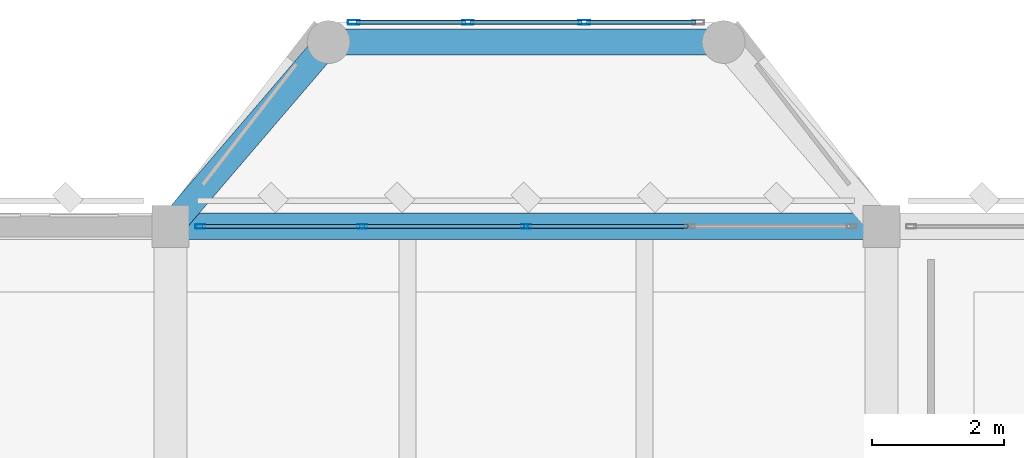
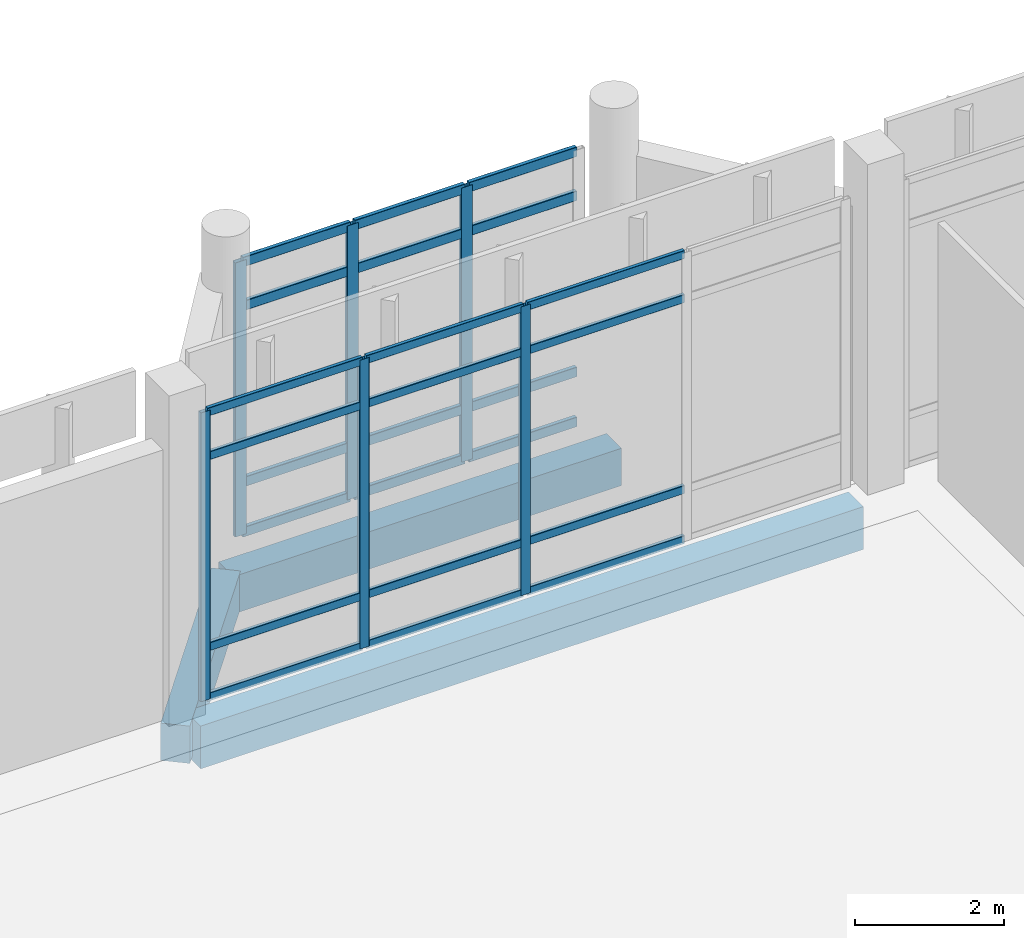
# One storey, part 70 of 180: 30 members, 3 beams, 2 elements without a shape of their own.
"""IFC4 building model written with IfcOpenShell, lengths in metres."""

from ifc_helpers import new_model, si_unit, direction, frame, origin, origin_2d, place, context, subcontext, project, spatial, rectangle, hollow_rectangle, extrude, material, material_profile, profile_set, type_object, element, aggregate, save


model = new_model("IFC4")

# Units and contexts
model_context = context("Model", 3, precision=1e-05, world=origin(), true_north=direction((0.0, 1.0)))
body_context = subcontext(model_context, "Body", "Model", "MODEL_VIEW")
ifc_project = project(units=[si_unit("LENGTHUNIT", "METRE"), si_unit("AREAUNIT", "SQUARE_METRE"), si_unit("VOLUMEUNIT", "CUBIC_METRE"), si_unit("PLANEANGLEUNIT", "RADIAN"), si_unit("MASSUNIT", "GRAM", prefix="KILO")], contexts=[model_context])

# Site, building, storey
site_placement = place(None, origin())
site = spatial("IfcSite", under=ifc_project, at=site_placement, CompositionType="ELEMENT")
building_placement = place(site_placement, origin())
building = spatial("IfcBuilding", under=site, at=building_placement, Name="Lusvemor Sports Hall", CompositionType="ELEMENT")
storey_placement = place(building_placement, frame((0.0, 0.0, 5.39990234375)))
storey = spatial("IfcBuildingStorey", under=building, at=storey_placement, Name="L01", CompositionType="ELEMENT", Elevation=5.39990234375)

# Curtain wall, members
ifc_material_1 = material(Name="Thermally broken bronze-anodized aluminium", Category="aluminium")
curtain_wall_type_1 = type_object("IfcCurtainWallType", Name="CW_FOYER_A", PredefinedType="NOTDEFINED", material=ifc_material_1)
curtain_wall_1_placement = place(storey_placement, origin())
curtain_wall_1 = element("IfcCurtainWall", 1, at=curtain_wall_1_placement, inside=storey, type_object=curtain_wall_type_1, Name="Curtain Wall CW-BOW-N1-L01-M", PredefinedType="NOTDEFINED")
ifc_material_2 = material(Name="Thermally broken bronze-anodized aluminium", Category="aluminium")
ifc_material_profile_1 = material_profile(ifc_material_2, hollow_rectangle(XDim=0.070068359375, YDim=0.179931640625, WallThickness=0.0048828125, InnerFilletRadius=0.0048828125, OuterFilletRadius=0.010009765625, at=origin_2d()), Name="CWMUL180x70x5")
ifc_profile_set_1 = profile_set([ifc_material_profile_1], Name="Thermally broken bronze-anodized aluminium")
member_type_1 = type_object("IfcMemberType", Name="CW_MUL_A", PredefinedType="MULLION", material=ifc_profile_set_1)
member_1_placement = place(storey_placement, frame((24.385009765625, 118.300048828125, 0.0), z_axis=(0.0, 0.0, 1.0), x_axis=(0.0, 1.0, 0.0)))
member_1 = element("IfcMember", 2, at=member_1_placement, type_object=member_type_1, Name="CW01 mullion 1", PredefinedType="MULLION", context=body_context, shape_type="SweptSolid", body=[
    extrude(hollow_rectangle(XDim=0.070068359375, YDim=0.179931640625, WallThickness=0.0048828125, InnerFilletRadius=0.0048828125, OuterFilletRadius=0.010009765625, at=origin_2d()), origin(), (0.0, 0.0, 1.0), 4.47998046875),
])
member_2_placement = place(storey_placement, frame((26.11669921875, 118.300048828125, 0.0), z_axis=(0.0, 0.0, 1.0), x_axis=(0.0, 1.0, 0.0)))
member_2 = element("IfcMember", 3, at=member_2_placement, type_object=member_type_1, Name="CW01 mullion 2", PredefinedType="MULLION", context=body_context, shape_type="SweptSolid", body=[
    extrude(hollow_rectangle(XDim=0.070068359375, YDim=0.179931640625, WallThickness=0.0048828125, InnerFilletRadius=0.0048828125, OuterFilletRadius=0.010009765625, at=origin_2d()), origin(), (0.0, 0.0, 1.0), 4.47998046875),
])
member_3_placement = place(storey_placement, frame((27.88330078125, 118.300048828125, 0.0), z_axis=(0.0, 0.0, 1.0), x_axis=(0.0, 1.0, 0.0)))
member_3 = element("IfcMember", 4, at=member_3_placement, type_object=member_type_1, Name="CW01 mullion 3", PredefinedType="MULLION", context=body_context, shape_type="SweptSolid", body=[
    extrude(hollow_rectangle(XDim=0.070068359375, YDim=0.179931640625, WallThickness=0.0048828125, InnerFilletRadius=0.0048828125, OuterFilletRadius=0.010009765625, at=origin_2d()), origin(), (0.0, 0.0, 1.0), 4.47998046875),
])

ifc_material_3 = material(Name="Thermally broken bronze-anodized aluminium", Category="aluminium")
curtain_wall_type_2 = type_object("IfcCurtainWallType", Name="CW_WING_B", PredefinedType="NOTDEFINED", material=ifc_material_3)
curtain_wall_2_placement = place(storey_placement, origin())
curtain_wall_2 = element("IfcCurtainWall", 5, at=curtain_wall_2_placement, inside=storey, type_object=curtain_wall_type_2, Name="Curtain Wall CW-L01-N-1-2", PredefinedType="NOTDEFINED")
ifc_material_4 = material(Name="Thermally broken bronze-anodized aluminium", Category="aluminium")
ifc_material_profile_2 = material_profile(ifc_material_4, hollow_rectangle(XDim=0.06494140625, YDim=0.14990234375, WallThickness=0.00390625, InnerFilletRadius=0.00390625, OuterFilletRadius=0.008056640625, at=origin_2d()), Name="CWMUL150x65x4")
ifc_profile_set_2 = profile_set([ifc_material_profile_2], Name="Thermally broken bronze-anodized aluminium")
member_type_2 = type_object("IfcMemberType", Name="CW_MUL_B", PredefinedType="MULLION", material=ifc_profile_set_2)
member_4_placement = place(storey_placement, frame((22.052490234375, 115.199951171875, 0.0), z_axis=(0.0, 0.0, 1.0), x_axis=(0.0, 1.0, 0.0)))
member_4 = element("IfcMember", 6, at=member_4_placement, type_object=member_type_2, Name="CW02 mullion 1", PredefinedType="MULLION", context=body_context, shape_type="SweptSolid", body=[
    extrude(hollow_rectangle(XDim=0.06494140625, YDim=0.14990234375, WallThickness=0.00390625, InnerFilletRadius=0.00390625, OuterFilletRadius=0.008056640625, at=origin_2d()), origin(), (0.0, 0.0, 1.0), 4.72021484375),
])
member_5_placement = place(storey_placement, frame((24.510009765625, 115.199951171875, 0.0), z_axis=(0.0, 0.0, 1.0), x_axis=(0.0, 1.0, 0.0)))
member_5 = element("IfcMember", 7, at=member_5_placement, type_object=member_type_2, Name="CW02 mullion 2", PredefinedType="MULLION", context=body_context, shape_type="SweptSolid", body=[
    extrude(hollow_rectangle(XDim=0.06494140625, YDim=0.14990234375, WallThickness=0.00390625, InnerFilletRadius=0.00390625, OuterFilletRadius=0.008056640625, at=origin_2d()), origin(), (0.0, 0.0, 1.0), 4.72021484375),
])
member_6_placement = place(storey_placement, frame((27.0, 115.199951171875, 0.0), z_axis=(0.0, 0.0, 1.0), x_axis=(0.0, 1.0, 0.0)))
member_6 = element("IfcMember", 8, at=member_6_placement, type_object=member_type_2, Name="CW02 mullion 3", PredefinedType="MULLION", context=body_context, shape_type="SweptSolid", body=[
    extrude(hollow_rectangle(XDim=0.06494140625, YDim=0.14990234375, WallThickness=0.00390625, InnerFilletRadius=0.00390625, OuterFilletRadius=0.008056640625, at=origin_2d()), origin(), (0.0, 0.0, 1.0), 4.72021484375),
])

# Member
ifc_material_5 = material(Name="Thermally broken bronze-anodized aluminium", Category="aluminium")
ifc_material_profile_3 = material_profile(ifc_material_5, hollow_rectangle(XDim=0.06494140625, YDim=0.159912109375, WallThickness=0.00390625, InnerFilletRadius=0.00390625, OuterFilletRadius=0.008056640625, at=origin_2d()), Name="CWTRN160x65x4")
ifc_profile_set_3 = profile_set([ifc_material_profile_3], Name="Thermally broken bronze-anodized aluminium")
member_type_3 = type_object("IfcMemberType", Name="CW_TRN_A", PredefinedType="USERDEFINED", material=ifc_profile_set_3)
member_7_placement = place(storey_placement, frame((24.419921875, 118.300048828125, 0.03271484375), z_axis=(1.0, 0.0, 0.0), x_axis=(0.0, 1.0, 0.0)))
member_7 = element("IfcMember", 9, at=member_7_placement, type_object=member_type_3, Name="CW01 transom 1.1", ObjectType="TRANSOM", PredefinedType="USERDEFINED", context=body_context, shape_type="SweptSolid", body=[
    extrude(hollow_rectangle(XDim=0.06494140625, YDim=0.159912109375, WallThickness=0.00390625, InnerFilletRadius=0.00390625, OuterFilletRadius=0.008056640625, at=origin_2d()), origin(), (0.0, 0.0, 1.0), 1.661865234375),
])

member_8_placement = place(storey_placement, frame((24.419921875, 118.300048828125, 0.85009765625), z_axis=(1.0, 0.0, 0.0), x_axis=(0.0, 1.0, 0.0)))
member_8 = element("IfcMember", 10, at=member_8_placement, type_object=member_type_3, Name="CW01 transom 1.2", ObjectType="TRANSOM", PredefinedType="USERDEFINED", context=body_context, shape_type="SweptSolid", body=[
    extrude(hollow_rectangle(XDim=0.06494140625, YDim=0.159912109375, WallThickness=0.00390625, InnerFilletRadius=0.00390625, OuterFilletRadius=0.008056640625, at=origin_2d()), origin(), (0.0, 0.0, 1.0), 1.661865234375),
])

member_9_placement = place(storey_placement, frame((24.419921875, 118.300048828125, 3.72998046875), z_axis=(1.0, 0.0, 0.0), x_axis=(0.0, 1.0, 0.0)))
member_9 = element("IfcMember", 11, at=member_9_placement, type_object=member_type_3, Name="CW01 transom 1.3", ObjectType="TRANSOM", PredefinedType="USERDEFINED", context=body_context, shape_type="SweptSolid", body=[
    extrude(hollow_rectangle(XDim=0.06494140625, YDim=0.159912109375, WallThickness=0.00390625, InnerFilletRadius=0.00390625, OuterFilletRadius=0.008056640625, at=origin_2d()), origin(), (0.0, 0.0, 1.0), 1.661865234375),
])

member_10_placement = place(storey_placement, frame((24.419921875, 118.300048828125, 4.447509765625), z_axis=(1.0, 0.0, 0.0), x_axis=(0.0, 1.0, 0.0)))
member_10 = element("IfcMember", 12, at=member_10_placement, type_object=member_type_3, Name="CW01 transom 1.4", ObjectType="TRANSOM", PredefinedType="USERDEFINED", context=body_context, shape_type="SweptSolid", body=[
    extrude(hollow_rectangle(XDim=0.06494140625, YDim=0.159912109375, WallThickness=0.00390625, InnerFilletRadius=0.00390625, OuterFilletRadius=0.008056640625, at=origin_2d()), origin(), (0.0, 0.0, 1.0), 1.661865234375),
])

member_11_placement = place(storey_placement, frame((26.151611328125, 118.300048828125, 0.03271484375), z_axis=(1.0, 0.0, 0.0), x_axis=(0.0, 1.0, 0.0)))
member_11 = element("IfcMember", 13, at=member_11_placement, type_object=member_type_3, Name="CW01 transom 2.1", ObjectType="TRANSOM", PredefinedType="USERDEFINED", context=body_context, shape_type="SweptSolid", body=[
    extrude(hollow_rectangle(XDim=0.06494140625, YDim=0.159912109375, WallThickness=0.00390625, InnerFilletRadius=0.00390625, OuterFilletRadius=0.008056640625, at=origin_2d()), origin(), (0.0, 0.0, 1.0), 1.69677734375),
])

member_12_placement = place(storey_placement, frame((26.151611328125, 118.300048828125, 0.85009765625), z_axis=(1.0, 0.0, 0.0), x_axis=(0.0, 1.0, 0.0)))
member_12 = element("IfcMember", 14, at=member_12_placement, type_object=member_type_3, Name="CW01 transom 2.2", ObjectType="TRANSOM", PredefinedType="USERDEFINED", context=body_context, shape_type="SweptSolid", body=[
    extrude(hollow_rectangle(XDim=0.06494140625, YDim=0.159912109375, WallThickness=0.00390625, InnerFilletRadius=0.00390625, OuterFilletRadius=0.008056640625, at=origin_2d()), origin(), (0.0, 0.0, 1.0), 1.69677734375),
])

member_13_placement = place(storey_placement, frame((26.151611328125, 118.300048828125, 3.72998046875), z_axis=(1.0, 0.0, 0.0), x_axis=(0.0, 1.0, 0.0)))
member_13 = element("IfcMember", 15, at=member_13_placement, type_object=member_type_3, Name="CW01 transom 2.3", ObjectType="TRANSOM", PredefinedType="USERDEFINED", context=body_context, shape_type="SweptSolid", body=[
    extrude(hollow_rectangle(XDim=0.06494140625, YDim=0.159912109375, WallThickness=0.00390625, InnerFilletRadius=0.00390625, OuterFilletRadius=0.008056640625, at=origin_2d()), origin(), (0.0, 0.0, 1.0), 1.69677734375),
])

member_14_placement = place(storey_placement, frame((26.151611328125, 118.300048828125, 4.447509765625), z_axis=(1.0, 0.0, 0.0), x_axis=(0.0, 1.0, 0.0)))
member_14 = element("IfcMember", 16, at=member_14_placement, type_object=member_type_3, Name="CW01 transom 2.4", ObjectType="TRANSOM", PredefinedType="USERDEFINED", context=body_context, shape_type="SweptSolid", body=[
    extrude(hollow_rectangle(XDim=0.06494140625, YDim=0.159912109375, WallThickness=0.00390625, InnerFilletRadius=0.00390625, OuterFilletRadius=0.008056640625, at=origin_2d()), origin(), (0.0, 0.0, 1.0), 1.69677734375),
])

member_15_placement = place(storey_placement, frame((27.918212890625, 118.300048828125, 0.03271484375), z_axis=(1.0, 0.0, 0.0), x_axis=(0.0, 1.0, 0.0)))
member_15 = element("IfcMember", 17, at=member_15_placement, type_object=member_type_3, Name="CW01 transom 3.1", ObjectType="TRANSOM", PredefinedType="USERDEFINED", context=body_context, shape_type="SweptSolid", body=[
    extrude(hollow_rectangle(XDim=0.06494140625, YDim=0.159912109375, WallThickness=0.00390625, InnerFilletRadius=0.00390625, OuterFilletRadius=0.008056640625, at=origin_2d()), origin(), (0.0, 0.0, 1.0), 1.661865234375),
])

member_16_placement = place(storey_placement, frame((27.918212890625, 118.300048828125, 0.85009765625), z_axis=(1.0, 0.0, 0.0), x_axis=(0.0, 1.0, 0.0)))
member_16 = element("IfcMember", 18, at=member_16_placement, type_object=member_type_3, Name="CW01 transom 3.2", ObjectType="TRANSOM", PredefinedType="USERDEFINED", context=body_context, shape_type="SweptSolid", body=[
    extrude(hollow_rectangle(XDim=0.06494140625, YDim=0.159912109375, WallThickness=0.00390625, InnerFilletRadius=0.00390625, OuterFilletRadius=0.008056640625, at=origin_2d()), origin(), (0.0, 0.0, 1.0), 1.661865234375),
])

member_17_placement = place(storey_placement, frame((27.918212890625, 118.300048828125, 3.72998046875), z_axis=(1.0, 0.0, 0.0), x_axis=(0.0, 1.0, 0.0)))
member_17 = element("IfcMember", 19, at=member_17_placement, type_object=member_type_3, Name="CW01 transom 3.3", ObjectType="TRANSOM", PredefinedType="USERDEFINED", context=body_context, shape_type="SweptSolid", body=[
    extrude(hollow_rectangle(XDim=0.06494140625, YDim=0.159912109375, WallThickness=0.00390625, InnerFilletRadius=0.00390625, OuterFilletRadius=0.008056640625, at=origin_2d()), origin(), (0.0, 0.0, 1.0), 1.661865234375),
])

member_18_placement = place(storey_placement, frame((27.918212890625, 118.300048828125, 4.447509765625), z_axis=(1.0, 0.0, 0.0), x_axis=(0.0, 1.0, 0.0)))
member_18 = element("IfcMember", 20, at=member_18_placement, type_object=member_type_3, Name="CW01 transom 3.4", ObjectType="TRANSOM", PredefinedType="USERDEFINED", context=body_context, shape_type="SweptSolid", body=[
    extrude(hollow_rectangle(XDim=0.06494140625, YDim=0.159912109375, WallThickness=0.00390625, InnerFilletRadius=0.00390625, OuterFilletRadius=0.008056640625, at=origin_2d()), origin(), (0.0, 0.0, 1.0), 1.661865234375),
])

aggregate(curtain_wall_1, [member_1, member_2, member_3, member_7, member_8, member_9, member_10, member_11, member_12, member_13, member_14, member_15, member_16, member_17, member_18])

ifc_material_6 = material(Name="Thermally broken bronze-anodized aluminium", Category="aluminium")
ifc_material_profile_4 = material_profile(ifc_material_6, hollow_rectangle(XDim=0.06005859375, YDim=0.135009765625, WallThickness=0.00390625, InnerFilletRadius=0.00390625, OuterFilletRadius=0.008056640625, at=origin_2d()), Name="CWTRN135x60x4")
ifc_profile_set_4 = profile_set([ifc_material_profile_4], Name="Thermally broken bronze-anodized aluminium")
member_type_4 = type_object("IfcMemberType", Name="CW_TRN_B", PredefinedType="USERDEFINED", material=ifc_profile_set_4)
member_19_placement = place(storey_placement, frame((22.0849609375, 115.199951171875, 0.030029296875), z_axis=(1.0, 0.0, 0.0), x_axis=(0.0, 1.0, 0.0)))
member_19 = element("IfcMember", 21, at=member_19_placement, type_object=member_type_4, Name="CW02 transom 1.1", ObjectType="TRANSOM", PredefinedType="USERDEFINED", context=body_context, shape_type="SweptSolid", body=[
    extrude(hollow_rectangle(XDim=0.06005859375, YDim=0.135009765625, WallThickness=0.00390625, InnerFilletRadius=0.00390625, OuterFilletRadius=0.008056640625, at=origin_2d()), origin(), (0.0, 0.0, 1.0), 2.392578125),
])

member_20_placement = place(storey_placement, frame((22.0849609375, 115.199951171875, 0.85009765625), z_axis=(1.0, 0.0, 0.0), x_axis=(0.0, 1.0, 0.0)))
member_20 = element("IfcMember", 22, at=member_20_placement, type_object=member_type_4, Name="CW02 transom 1.2", ObjectType="TRANSOM", PredefinedType="USERDEFINED", context=body_context, shape_type="SweptSolid", body=[
    extrude(hollow_rectangle(XDim=0.06005859375, YDim=0.135009765625, WallThickness=0.00390625, InnerFilletRadius=0.00390625, OuterFilletRadius=0.008056640625, at=origin_2d()), origin(), (0.0, 0.0, 1.0), 2.392578125),
])

member_21_placement = place(storey_placement, frame((22.0849609375, 115.199951171875, 3.97021484375), z_axis=(1.0, 0.0, 0.0), x_axis=(0.0, 1.0, 0.0)))
member_21 = element("IfcMember", 23, at=member_21_placement, type_object=member_type_4, Name="CW02 transom 1.3", ObjectType="TRANSOM", PredefinedType="USERDEFINED", context=body_context, shape_type="SweptSolid", body=[
    extrude(hollow_rectangle(XDim=0.06005859375, YDim=0.135009765625, WallThickness=0.00390625, InnerFilletRadius=0.00390625, OuterFilletRadius=0.008056640625, at=origin_2d()), origin(), (0.0, 0.0, 1.0), 2.392578125),
])

member_22_placement = place(storey_placement, frame((22.0849609375, 115.199951171875, 4.690185546875), z_axis=(1.0, 0.0, 0.0), x_axis=(0.0, 1.0, 0.0)))
member_22 = element("IfcMember", 24, at=member_22_placement, type_object=member_type_4, Name="CW02 transom 1.4", ObjectType="TRANSOM", PredefinedType="USERDEFINED", context=body_context, shape_type="SweptSolid", body=[
    extrude(hollow_rectangle(XDim=0.06005859375, YDim=0.135009765625, WallThickness=0.00390625, InnerFilletRadius=0.00390625, OuterFilletRadius=0.008056640625, at=origin_2d()), origin(), (0.0, 0.0, 1.0), 2.392578125),
])

member_23_placement = place(storey_placement, frame((24.54248046875, 115.199951171875, 0.030029296875), z_axis=(1.0, 0.0, 0.0), x_axis=(0.0, 1.0, 0.0)))
member_23 = element("IfcMember", 25, at=member_23_placement, type_object=member_type_4, Name="CW02 transom 2.1", ObjectType="TRANSOM", PredefinedType="USERDEFINED", context=body_context, shape_type="SweptSolid", body=[
    extrude(hollow_rectangle(XDim=0.06005859375, YDim=0.135009765625, WallThickness=0.00390625, InnerFilletRadius=0.00390625, OuterFilletRadius=0.008056640625, at=origin_2d()), origin(), (0.0, 0.0, 1.0), 2.425048828125),
])

member_24_placement = place(storey_placement, frame((24.54248046875, 115.199951171875, 0.85009765625), z_axis=(1.0, 0.0, 0.0), x_axis=(0.0, 1.0, 0.0)))
member_24 = element("IfcMember", 26, at=member_24_placement, type_object=member_type_4, Name="CW02 transom 2.2", ObjectType="TRANSOM", PredefinedType="USERDEFINED", context=body_context, shape_type="SweptSolid", body=[
    extrude(hollow_rectangle(XDim=0.06005859375, YDim=0.135009765625, WallThickness=0.00390625, InnerFilletRadius=0.00390625, OuterFilletRadius=0.008056640625, at=origin_2d()), origin(), (0.0, 0.0, 1.0), 2.425048828125),
])

member_25_placement = place(storey_placement, frame((24.54248046875, 115.199951171875, 3.97021484375), z_axis=(1.0, 0.0, 0.0), x_axis=(0.0, 1.0, 0.0)))
member_25 = element("IfcMember", 27, at=member_25_placement, type_object=member_type_4, Name="CW02 transom 2.3", ObjectType="TRANSOM", PredefinedType="USERDEFINED", context=body_context, shape_type="SweptSolid", body=[
    extrude(hollow_rectangle(XDim=0.06005859375, YDim=0.135009765625, WallThickness=0.00390625, InnerFilletRadius=0.00390625, OuterFilletRadius=0.008056640625, at=origin_2d()), origin(), (0.0, 0.0, 1.0), 2.425048828125),
])

member_26_placement = place(storey_placement, frame((24.54248046875, 115.199951171875, 4.690185546875), z_axis=(1.0, 0.0, 0.0), x_axis=(0.0, 1.0, 0.0)))
member_26 = element("IfcMember", 28, at=member_26_placement, type_object=member_type_4, Name="CW02 transom 2.4", ObjectType="TRANSOM", PredefinedType="USERDEFINED", context=body_context, shape_type="SweptSolid", body=[
    extrude(hollow_rectangle(XDim=0.06005859375, YDim=0.135009765625, WallThickness=0.00390625, InnerFilletRadius=0.00390625, OuterFilletRadius=0.008056640625, at=origin_2d()), origin(), (0.0, 0.0, 1.0), 2.425048828125),
])

member_27_placement = place(storey_placement, frame((27.032470703125, 115.199951171875, 0.030029296875), z_axis=(1.0, 0.0, 0.0), x_axis=(0.0, 1.0, 0.0)))
member_27 = element("IfcMember", 29, at=member_27_placement, type_object=member_type_4, Name="CW02 transom 3.1", ObjectType="TRANSOM", PredefinedType="USERDEFINED", context=body_context, shape_type="SweptSolid", body=[
    extrude(hollow_rectangle(XDim=0.06005859375, YDim=0.135009765625, WallThickness=0.00390625, InnerFilletRadius=0.00390625, OuterFilletRadius=0.008056640625, at=origin_2d()), origin(), (0.0, 0.0, 1.0), 2.425048828125),
])

member_28_placement = place(storey_placement, frame((27.032470703125, 115.199951171875, 0.85009765625), z_axis=(1.0, 0.0, 0.0), x_axis=(0.0, 1.0, 0.0)))
member_28 = element("IfcMember", 30, at=member_28_placement, type_object=member_type_4, Name="CW02 transom 3.2", ObjectType="TRANSOM", PredefinedType="USERDEFINED", context=body_context, shape_type="SweptSolid", body=[
    extrude(hollow_rectangle(XDim=0.06005859375, YDim=0.135009765625, WallThickness=0.00390625, InnerFilletRadius=0.00390625, OuterFilletRadius=0.008056640625, at=origin_2d()), origin(), (0.0, 0.0, 1.0), 2.425048828125),
])

member_29_placement = place(storey_placement, frame((27.032470703125, 115.199951171875, 3.97021484375), z_axis=(1.0, 0.0, 0.0), x_axis=(0.0, 1.0, 0.0)))
member_29 = element("IfcMember", 31, at=member_29_placement, type_object=member_type_4, Name="CW02 transom 3.3", ObjectType="TRANSOM", PredefinedType="USERDEFINED", context=body_context, shape_type="SweptSolid", body=[
    extrude(hollow_rectangle(XDim=0.06005859375, YDim=0.135009765625, WallThickness=0.00390625, InnerFilletRadius=0.00390625, OuterFilletRadius=0.008056640625, at=origin_2d()), origin(), (0.0, 0.0, 1.0), 2.425048828125),
])

member_30_placement = place(storey_placement, frame((27.032470703125, 115.199951171875, 4.690185546875), z_axis=(1.0, 0.0, 0.0), x_axis=(0.0, 1.0, 0.0)))
member_30 = element("IfcMember", 32, at=member_30_placement, type_object=member_type_4, Name="CW02 transom 3.4", ObjectType="TRANSOM", PredefinedType="USERDEFINED", context=body_context, shape_type="SweptSolid", body=[
    extrude(hollow_rectangle(XDim=0.06005859375, YDim=0.135009765625, WallThickness=0.00390625, InnerFilletRadius=0.00390625, OuterFilletRadius=0.008056640625, at=origin_2d()), origin(), (0.0, 0.0, 1.0), 2.425048828125),
])

aggregate(curtain_wall_2, [member_4, member_5, member_6, member_19, member_20, member_21, member_22, member_23, member_24, member_25, member_26, member_27, member_28, member_29, member_30])

# Beams
ifc_material_7 = material(Name="Concrete C40/50", Category="concrete")
ifc_material_profile_5 = material_profile(ifc_material_7, rectangle(XDim=0.39990234375, YDim=0.610107421875, at=origin_2d()), Name="RC400x610")
ifc_profile_set_5 = profile_set([ifc_material_profile_5], Name="Concrete C40/50")
beam_type_1 = type_object("IfcBeamType", Name="SPAND_EXT_650", PredefinedType="SPANDREL", material=ifc_profile_set_5)
beam_1_placement = place(storey_placement, frame((21.60009765625, 115.199951171875, -0.56494140625), z_axis=(0.650769565339, 0.759275294494, 0.0), x_axis=(-0.759275294494, 0.650769565339, 0.0)))
element("IfcBeam", 33, at=beam_1_placement, inside=storey, type_object=beam_type_1, Name="Bow Pavilion Edge Beam BOW-N1 L01-1", PredefinedType="SPANDREL", context=body_context, shape_type="SweptSolid", body=[
    extrude(rectangle(XDim=0.39990234375, YDim=0.610107421875, at=origin_2d()), origin(), (0.0, 0.0, 1.0), 3.687744140625),
])
beam_2_placement = place(storey_placement, frame((24.0, 118.0, -0.56494140625), z_axis=(1.0, 0.0, 0.0), x_axis=(0.0, 1.0, 0.0)))
element("IfcBeam", 34, at=beam_2_placement, inside=storey, type_object=beam_type_1, Name="Bow Pavilion Edge Beam BOW-N1 L01-2", PredefinedType="SPANDREL", context=body_context, shape_type="SweptSolid", body=[
    extrude(rectangle(XDim=0.39990234375, YDim=0.610107421875, at=origin_2d()), origin(), (0.0, 0.0, 1.0), 6.0),
])
ifc_material_8 = material(Name="Concrete C40/50", Category="concrete")
ifc_material_profile_6 = material_profile(ifc_material_8, rectangle(XDim=0.39990234375, YDim=0.699951171875, at=origin_2d()), Name="RC400x700")
ifc_profile_set_6 = profile_set([ifc_material_profile_6], Name="Concrete C40/50")
beam_type_2 = type_object("IfcBeamType", Name="SPAND_EXT_700", PredefinedType="SPANDREL", material=ifc_profile_set_6)
beam_3_placement = place(storey_placement, frame((21.8759765625, 115.199951171875, -0.60986328125), z_axis=(1.0, 0.0, 0.0), x_axis=(0.0, 1.0, 0.0)))
element("IfcBeam", 35, at=beam_3_placement, inside=storey, type_object=beam_type_2, Name="Beam L01 Q:3-4", PredefinedType="SPANDREL", context=body_context, shape_type="SweptSolid", body=[
    extrude(rectangle(XDim=0.39990234375, YDim=0.699951171875, at=origin_2d()), origin(), (0.0, 0.0, 1.0), 10.248046875),
])

save(model, "model.ifc")
